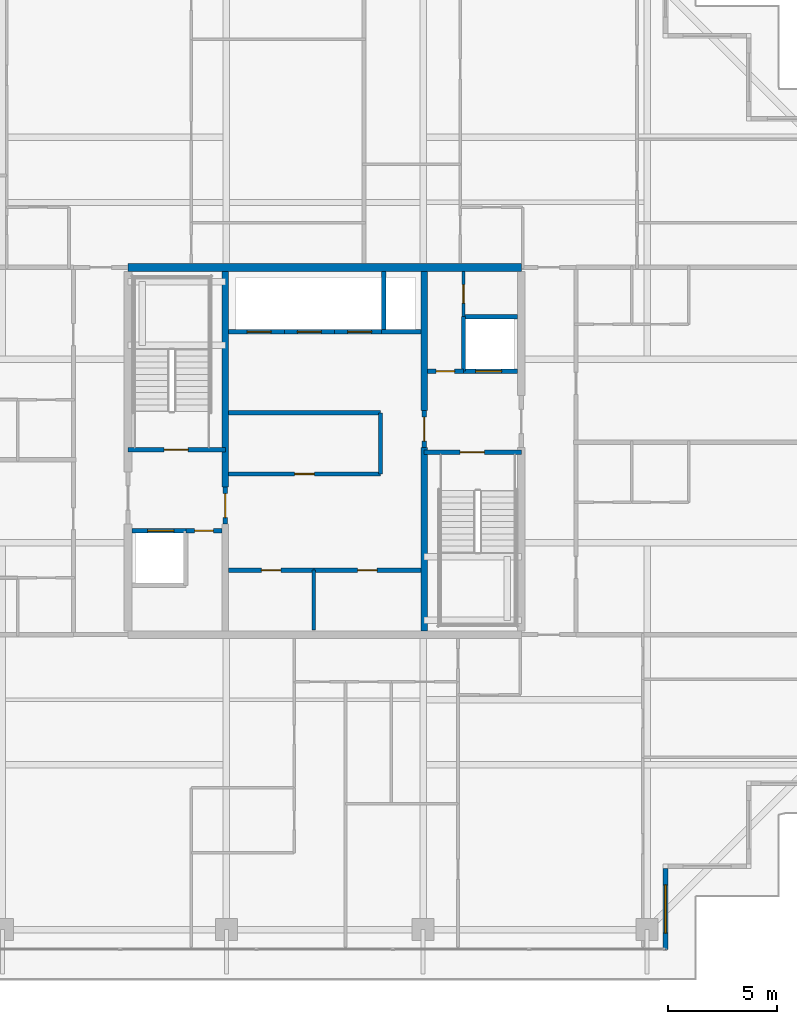
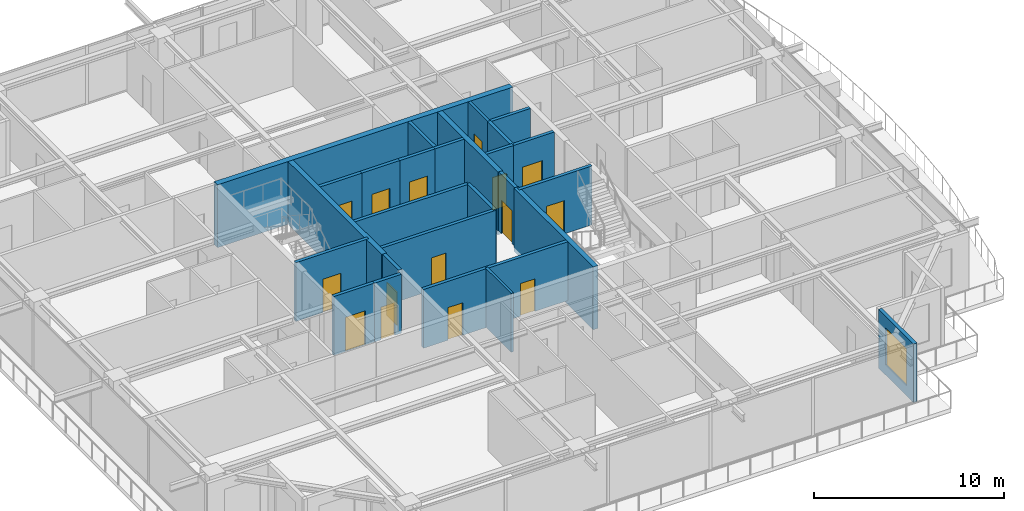
# One storey, part 29 of 39: 27 walls, 15 doors, 1 window, 16 openings.
"""IFC4 building model written with IfcOpenShell, lengths in metres."""

from ifc_helpers import new_model, si_unit, direction, frame, frame_2d, origin, place, context, subcontext, project, spatial, rectangle, extrude, source, transform, mapped, material, layer, layer_set, type_object, element, fill, save


model = new_model("IFC4")

# Units and contexts
model_context = context("Model", 3, precision=1e-05, world=origin(), true_north=direction((0.0, 1.0)))
body_context = subcontext(model_context, "Body", "Model", "MODEL_VIEW")
ifc_project = project(units=[si_unit("LENGTHUNIT", "METRE"), si_unit("AREAUNIT", "SQUARE_METRE"), si_unit("VOLUMEUNIT", "CUBIC_METRE"), si_unit("PLANEANGLEUNIT", "RADIAN"), si_unit("MASSUNIT", "GRAM", prefix="KILO")], contexts=[model_context])

# Site, building, storey
site_placement = place(None, origin())
site = spatial("IfcSite", under=ifc_project, at=site_placement, CompositionType="ELEMENT")
building_placement = place(site_placement, origin())
building = spatial("IfcBuilding", under=site, at=building_placement, Name="Serunith Strait Residences", CompositionType="ELEMENT")
storey_placement = place(building_placement, frame((0.0, 0.0, 329.89990234375)))
storey = spatial("IfcBuildingStorey", under=building, at=storey_placement, Name="L82", CompositionType="ELEMENT", Elevation=329.89990234375)

# Wall, opening, window
ifc_material_1 = material(Name="Pale-Champagne Aluminium Insulated Panel", Category="aluminium")
ifc_layer_1 = layer(ifc_material_1, 0.219970703125, Name="Pale-Champagne Aluminium Insulated Panel")
ifc_layer_set_1 = layer_set([ifc_layer_1], Name="Pale-Champagne Aluminium Insulated Panel")
wall_type_1 = type_object("IfcWallType", Name="EW-ALUM-220", PredefinedType="ELEMENTEDWALL", material=ifc_layer_set_1)
wall_1_placement = place(storey_placement, frame((48.0, 2.39990234375, 0.0), z_axis=(0.0, 0.0, 1.0), x_axis=(0.0, 1.0, 0.0)))
wall_1 = element("IfcWall", 1, at=wall_1_placement, inside=storey, type_object=wall_type_1, Name="L82 Girih Serrated Corner Wall 02", PredefinedType="ELEMENTEDWALL", context=body_context, shape_type="SweptSolid", body=[
    extrude(rectangle(XDim=3.690185546875, YDim=0.219970703125, at=frame_2d((1.84521484375, 0.0))), origin(), (0.0, 0.0, 1.0), 3.775146484375),
])
opening_1_placement = place(wall_1_placement, frame((0.7451171875, 0.0, 0.64990234375)))
opening_1 = element("IfcOpeningElement", 2, at=opening_1_placement, cuts=wall_1, Name="Opening W-06", PredefinedType="OPENING", context=body_context, shape_type="SweptSolid", body=[
    extrude(rectangle(XDim=2.199951171875, YDim=2.39990234375, at=frame_2d((1.10009765625, 1.199951171875))), frame((0.0, 0.1201171875, 0.0), z_axis=(0.0, -1.0, 0.0), x_axis=(1.0, 0.0, 0.0)), (0.0, 0.0, 1.0), 0.239990234375),
])
ifc_material_2 = material(Name="Crown Penthouse Low-E Operable Window Glass", Category="glass")
window_type = type_object("IfcWindowType", Name="WIN-C6", PartitioningType="TRIPLE_PANEL_VERTICAL", PredefinedType="WINDOW", material=ifc_material_2)
shared_shape_1 = source(origin(), body_context, "Body", "SweptSolid", [
    extrude(rectangle(XDim=2.199951171875, YDim=2.39990234375, at=frame_2d((1.10009765625, 1.199951171875))), frame((0.0, 0.030029296875, 0.0), z_axis=(0.0, -1.0, 0.0), x_axis=(1.0, 0.0, 0.0)), (0.0, 0.0, 1.0), 0.06005859375),
])
window_placement = place(opening_1_placement, origin())
window = element("IfcWindow", 3, at=window_placement, inside=storey, type_object=window_type, Name="L82 Corner Operable Fritted Window 02", OverallHeight=2.39990234375, OverallWidth=2.199951171875, PartitioningType="SINGLE_PANEL", PredefinedType="WINDOW", context=body_context, shape_type="MappedRepresentation", body=[
    mapped(shared_shape_1, transform((0.0, 0.0, 0.0), scale=1.0)),
])
fill(opening_1, window)

# Wall, opening, door
ifc_material_3 = material(Name="Fire-rated masonry service closet wall", Category="masonry")
ifc_layer_2 = layer(ifc_material_3, 0.14990234375, Name="Fire-rated masonry service closet wall")
ifc_layer_set_2 = layer_set([ifc_layer_2], Name="Fire-rated masonry service closet wall")
wall_type_2 = type_object("IfcWallType", Name="IW-BOH-150", PredefinedType="PARTITIONING", material=ifc_layer_set_2)
wall_2_placement = place(storey_placement, frame((38.75, 31.35205078125, 0.0), z_axis=(0.0, 0.0, 1.0), x_axis=(0.0, 1.0, 0.0)))
wall_2 = element("IfcWall", 4, at=wall_2_placement, inside=storey, type_object=wall_type_2, Name="L82 Partition Wall 011", PredefinedType="PARTITIONING", context=body_context, shape_type="SweptSolid", body=[
    extrude(rectangle(XDim=2.072998046875, YDim=0.14990234375, at=frame_2d((1.03662109375, 0.0))), origin(), (0.0, 0.0, 1.0), 3.7900390625),
])
opening_2_placement = place(wall_2_placement, frame((0.611083984375, 0.0, 0.0)))
opening_2 = element("IfcOpeningElement", 5, at=opening_2_placement, cuts=wall_2, Name="Opening FD-850", PredefinedType="OPENING", context=body_context, shape_type="SweptSolid", body=[
    extrude(rectangle(XDim=0.85009765625, YDim=2.10009765625, at=frame_2d((0.425048828125, 1.050048828125))), frame((0.0, 0.0849609375, 0.0), z_axis=(0.0, -1.0, 0.0), x_axis=(1.0, 0.0, 0.0)), (0.0, 0.0, 1.0), 0.169921875),
])
ifc_material_4 = material(Name="Powder-coated steel service closet door", Category="steel")
door_type_1 = type_object("IfcDoorType", Name="FD-BOH-850", OperationType="NOTDEFINED", PredefinedType="DOOR", material=ifc_material_4)
shared_shape_2 = source(origin(), body_context, "Body", "SweptSolid", [
    extrude(rectangle(XDim=0.85009765625, YDim=2.10009765625, at=frame_2d((0.425048828125, 1.050048828125))), frame((0.0, 0.02490234375, 0.0), z_axis=(0.0, -1.0, 0.0), x_axis=(1.0, 0.0, 0.0)), (0.0, 0.0, 1.0), 0.050048828125),
])
door_1_placement = place(opening_2_placement, origin())
door_1 = element("IfcDoor", 6, at=door_1_placement, inside=storey, type_object=door_type_1, Name="L82 ELV Data Closet Door", OperationType="SINGLE_SWING_LEFT", OverallHeight=2.10009765625, OverallWidth=0.85009765625, PredefinedType="DOOR", context=body_context, shape_type="MappedRepresentation", body=[
    mapped(shared_shape_2, transform((0.0, 0.0, 0.0), scale=1.0)),
])
fill(opening_2, door_1)

# Wall
wall_3_placement = place(storey_placement, frame((31.89990234375, 17.02001953125, 0.0), z_axis=(0.0, 0.0, 1.0), x_axis=(0.0, 1.0, 0.0)))
element("IfcWall", 7, at=wall_3_placement, inside=storey, type_object=wall_type_2, Name="L82 Partition Wall 014", PredefinedType="PARTITIONING", context=body_context, shape_type="SweptSolid", body=[
    extrude(rectangle(XDim=2.72998046875, YDim=0.14990234375, at=frame_2d((1.364990234375, 0.0))), origin(), (0.0, 0.0, 1.0), 3.7900390625),
])

# Wall, opening, door
ifc_material_5 = material(Name="Autoclaved aerated concrete blockwork", Category="masonry")
ifc_layer_3 = layer(ifc_material_5, 0.199951171875, Name="Autoclaved aerated concrete blockwork")
ifc_layer_set_3 = layer_set([ifc_layer_3], Name="Autoclaved aerated concrete blockwork")
wall_type_3 = type_object("IfcWallType", Name="IW-SHAFT-200", PredefinedType="STANDARD", material=ifc_layer_set_3)
wall_4_placement = place(storey_placement, frame((23.39990234375, 25.25, 0.0), z_axis=(0.0, 0.0, 1.0), x_axis=(1.0, 0.0, 0.0)))
wall_4 = element("IfcWall", 8, at=wall_4_placement, inside=storey, type_object=wall_type_3, Name="L82 ST-1 South Shaft Wall", PredefinedType="STANDARD", context=body_context, shape_type="SweptSolid", body=[
    extrude(rectangle(XDim=4.4501953125, YDim=0.199951171875, at=frame_2d((2.22509765625, 0.0))), origin(), (0.0, 0.0, 1.0), 3.7900390625),
])
opening_3_placement = place(wall_4_placement, frame((1.64990234375, 0.0, 0.0)))
opening_3 = element("IfcOpeningElement", 9, at=opening_3_placement, cuts=wall_4, Name="Opening FD-1100", PredefinedType="OPENING", context=body_context, shape_type="SweptSolid", body=[
    extrude(rectangle(XDim=1.10009765625, YDim=2.14990234375, at=frame_2d((0.550048828125, 1.074951171875))), frame((0.0, 0.10986328125, 0.0), z_axis=(0.0, -1.0, 0.0), x_axis=(1.0, 0.0, 0.0)), (0.0, 0.0, 1.0), 0.219970703125),
])
ifc_material_6 = material(Name="Galvanised steel fire door leaf", Category="steel")
door_type_2 = type_object("IfcDoorType", Name="FD-STAIR-1100", OperationType="NOTDEFINED", PredefinedType="DOOR", material=ifc_material_6)
shared_shape_3 = source(origin(), body_context, "Body", "SweptSolid", [
    extrude(rectangle(XDim=1.10009765625, YDim=2.14990234375, at=frame_2d((0.550048828125, 1.074951171875))), frame((0.0, 0.02490234375, 0.0), z_axis=(0.0, -1.0, 0.0), x_axis=(1.0, 0.0, 0.0)), (0.0, 0.0, 1.0), 0.050048828125),
])
door_2_placement = place(opening_3_placement, origin())
door_2 = element("IfcDoor", 10, at=door_2_placement, inside=storey, type_object=door_type_2, Name="L82 ST-1 Escape Stair Door", OperationType="SINGLE_SWING_RIGHT", OverallHeight=2.14990234375, OverallWidth=1.10009765625, PredefinedType="DOOR", context=body_context, shape_type="MappedRepresentation", body=[
    mapped(shared_shape_3, transform((0.0, 0.0, 0.0), scale=1.0)),
])
fill(opening_3, door_2)

wall_5_placement = place(storey_placement, frame((36.949951171875, 25.14990234375, 0.0), z_axis=(0.0, 0.0, 1.0), x_axis=(1.0, 0.0, 0.0)))
wall_5 = element("IfcWall", 11, at=wall_5_placement, inside=storey, type_object=wall_type_3, Name="L82 ST-2 North Shaft Wall", PredefinedType="STANDARD", context=body_context, shape_type="SweptSolid", body=[
    extrude(rectangle(XDim=4.449951171875, YDim=0.199951171875, at=frame_2d((2.22509765625, 0.0))), origin(), (0.0, 0.0, 1.0), 3.7900390625),
])
opening_4_placement = place(wall_5_placement, frame((1.64990234375, 0.0, 0.0)))
opening_4 = element("IfcOpeningElement", 12, at=opening_4_placement, cuts=wall_5, Name="Opening FD-1100", PredefinedType="OPENING", context=body_context, shape_type="SweptSolid", body=[
    extrude(rectangle(XDim=1.10009765625, YDim=2.14990234375, at=frame_2d((0.550048828125, 1.074951171875))), frame((0.0, 0.10986328125, 0.0), z_axis=(0.0, -1.0, 0.0), x_axis=(1.0, 0.0, 0.0)), (0.0, 0.0, 1.0), 0.219970703125),
])
door_3_placement = place(opening_4_placement, origin())
door_3 = element("IfcDoor", 13, at=door_3_placement, inside=storey, type_object=door_type_2, Name="L82 ST-2 Escape Stair Door", OperationType="SINGLE_SWING_LEFT", OverallHeight=2.14990234375, OverallWidth=1.10009765625, PredefinedType="DOOR", context=body_context, shape_type="MappedRepresentation", body=[
    mapped(shared_shape_3, transform((0.0, 0.0, 0.0), scale=1.0)),
])
fill(opening_4, door_3)

wall_6_placement = place(storey_placement, frame((23.574951171875, 21.550048828125, 0.0), z_axis=(0.0, 0.0, 1.0), x_axis=(1.0, 0.0, 0.0)))
wall_6 = element("IfcWall", 14, at=wall_6_placement, inside=storey, type_object=wall_type_3, Name="L82 FL-1 North Shaft Wall", PredefinedType="STANDARD", context=body_context, shape_type="SweptSolid", body=[
    extrude(rectangle(XDim=2.47509765625, YDim=0.199951171875, at=frame_2d((1.237548828125, 0.0))), origin(), (0.0, 0.0, 1.0), 3.7900390625),
])
opening_5_placement = place(wall_6_placement, frame((0.72509765625, 0.0, 0.0)))
opening_5 = element("IfcOpeningElement", 15, at=opening_5_placement, cuts=wall_6, Name="Opening LD-FF1200", PredefinedType="OPENING", context=body_context, shape_type="SweptSolid", body=[
    extrude(rectangle(XDim=1.199951171875, YDim=2.199951171875, at=frame_2d((0.60009765625, 1.10009765625))), frame((0.0, 0.10986328125, 0.0), z_axis=(0.0, -1.0, 0.0), x_axis=(1.0, 0.0, 0.0)), (0.0, 0.0, 1.0), 0.219970703125),
])
ifc_material_7 = material(Name="Brushed stainless steel landing door", Category="steel")
door_type_3 = type_object("IfcDoorType", Name="LD-FF-1200", OperationType="DOUBLE_DOOR_SLIDING", PredefinedType="DOOR", material=ifc_material_7)
shared_shape_4 = source(origin(), body_context, "Body", "SweptSolid", [
    extrude(rectangle(XDim=1.199951171875, YDim=2.199951171875, at=frame_2d((0.60009765625, 1.10009765625))), frame((0.0, 0.02490234375, 0.0), z_axis=(0.0, -1.0, 0.0), x_axis=(1.0, 0.0, 0.0)), (0.0, 0.0, 1.0), 0.050048828125),
])
door_4_placement = place(opening_5_placement, origin())
door_4 = element("IfcDoor", 16, at=door_4_placement, inside=storey, type_object=door_type_3, Name="L82 FL-1 Landing Door", OperationType="DOUBLE_DOOR_SLIDING", OverallHeight=2.199951171875, OverallWidth=1.199951171875, PredefinedType="DOOR", context=body_context, shape_type="MappedRepresentation", body=[
    mapped(shared_shape_4, transform((0.0, 0.0, 0.0), scale=1.0)),
])
fill(opening_5, door_4)

wall_7_placement = place(storey_placement, frame((38.75, 28.85009765625, 0.0), z_axis=(0.0, 0.0, 1.0), x_axis=(1.0, 0.0, 0.0)))
wall_7 = element("IfcWall", 17, at=wall_7_placement, inside=storey, type_object=wall_type_3, Name="L82 FL-2 South Shaft Wall", PredefinedType="STANDARD", context=body_context, shape_type="SweptSolid", body=[
    extrude(rectangle(XDim=2.47509765625, YDim=0.199951171875, at=frame_2d((1.237548828125, 0.0))), origin(), (0.0, 0.0, 1.0), 3.7900390625),
])
opening_6_placement = place(wall_7_placement, frame((0.550048828125, 0.0, 0.0)))
opening_6 = element("IfcOpeningElement", 18, at=opening_6_placement, cuts=wall_7, Name="Opening LD-FF1200", PredefinedType="OPENING", context=body_context, shape_type="SweptSolid", body=[
    extrude(rectangle(XDim=1.199951171875, YDim=2.199951171875, at=frame_2d((0.60009765625, 1.10009765625))), frame((0.0, 0.10986328125, 0.0), z_axis=(0.0, -1.0, 0.0), x_axis=(1.0, 0.0, 0.0)), (0.0, 0.0, 1.0), 0.219970703125),
])
door_5_placement = place(opening_6_placement, origin())
door_5 = element("IfcDoor", 19, at=door_5_placement, inside=storey, type_object=door_type_3, Name="L82 FL-2 Landing Door", OperationType="DOUBLE_DOOR_SLIDING", OverallHeight=2.199951171875, OverallWidth=1.199951171875, PredefinedType="DOOR", context=body_context, shape_type="MappedRepresentation", body=[
    mapped(shared_shape_4, transform((0.0, 0.0, 0.0), scale=1.0)),
])
fill(opening_6, door_5)

wall_8_placement = place(storey_placement, frame((28.0, 30.64990234375, 0.0), z_axis=(0.0, 0.0, 1.0), x_axis=(1.0, 0.0, 0.0)))
wall_8 = element("IfcWall", 20, at=wall_8_placement, inside=storey, type_object=wall_type_3, Name="L82 PL-7 South Shaft Wall", PredefinedType="STANDARD", context=body_context, shape_type="SweptSolid", body=[
    extrude(rectangle(XDim=2.550048828125, YDim=0.199951171875, at=frame_2d((1.27490234375, 0.0))), origin(), (0.0, 0.0, 1.0), 3.7900390625),
])
opening_7_placement = place(wall_8_placement, frame((0.85009765625, 0.0, 0.0)))
opening_7 = element("IfcOpeningElement", 21, at=opening_7_placement, cuts=wall_8, Name="Opening LD-1100", PredefinedType="OPENING", context=body_context, shape_type="SweptSolid", body=[
    extrude(rectangle(XDim=1.10009765625, YDim=2.199951171875, at=frame_2d((0.550048828125, 1.10009765625))), frame((0.0, 0.10986328125, 0.0), z_axis=(0.0, -1.0, 0.0), x_axis=(1.0, 0.0, 0.0)), (0.0, 0.0, 1.0), 0.219970703125),
])
ifc_material_8 = material(Name="Pale-champagne stainless landing door")
door_type_4 = type_object("IfcDoorType", Name="LD-LIFT-1100", OperationType="DOUBLE_DOOR_SLIDING", PredefinedType="DOOR", material=ifc_material_8)
shared_shape_5 = source(origin(), body_context, "Body", "SweptSolid", [
    extrude(rectangle(XDim=1.10009765625, YDim=2.199951171875, at=frame_2d((0.550048828125, 1.10009765625))), frame((0.0, 0.02490234375, 0.0), z_axis=(0.0, -1.0, 0.0), x_axis=(1.0, 0.0, 0.0)), (0.0, 0.0, 1.0), 0.050048828125),
])
door_6_placement = place(opening_7_placement, origin())
door_6 = element("IfcDoor", 22, at=door_6_placement, inside=storey, type_object=door_type_4, Name="L82 PL-7 Landing Door", OperationType="DOUBLE_DOOR_SLIDING", OverallHeight=2.199951171875, OverallWidth=1.10009765625, PredefinedType="DOOR", context=body_context, shape_type="MappedRepresentation", body=[
    mapped(shared_shape_5, transform((0.0, 0.0, 0.0), scale=1.0)),
])
fill(opening_7, door_6)

wall_9_placement = place(storey_placement, frame((30.550048828125, 30.64990234375, 0.0), z_axis=(0.0, 0.0, 1.0), x_axis=(1.0, 0.0, 0.0)))
wall_9 = element("IfcWall", 23, at=wall_9_placement, inside=storey, type_object=wall_type_3, Name="L82 PL-8 South Shaft Wall", PredefinedType="STANDARD", context=body_context, shape_type="SweptSolid", body=[
    extrude(rectangle(XDim=2.300048828125, YDim=0.199951171875, at=frame_2d((1.14990234375, 0.0))), origin(), (0.0, 0.0, 1.0), 3.7900390625),
])
opening_8_placement = place(wall_9_placement, frame((0.60009765625, 0.0, 0.0)))
opening_8 = element("IfcOpeningElement", 24, at=opening_8_placement, cuts=wall_9, Name="Opening LD-1100", PredefinedType="OPENING", context=body_context, shape_type="SweptSolid", body=[
    extrude(rectangle(XDim=1.10009765625, YDim=2.199951171875, at=frame_2d((0.550048828125, 1.10009765625))), frame((0.0, 0.10986328125, 0.0), z_axis=(0.0, -1.0, 0.0), x_axis=(1.0, 0.0, 0.0)), (0.0, 0.0, 1.0), 0.219970703125),
])
door_7_placement = place(opening_8_placement, origin())
door_7 = element("IfcDoor", 25, at=door_7_placement, inside=storey, type_object=door_type_4, Name="L82 PL-8 Landing Door", OperationType="DOUBLE_DOOR_SLIDING", OverallHeight=2.199951171875, OverallWidth=1.10009765625, PredefinedType="DOOR", context=body_context, shape_type="MappedRepresentation", body=[
    mapped(shared_shape_5, transform((0.0, 0.0, 0.0), scale=1.0)),
])
fill(opening_8, door_7)

wall_10_placement = place(storey_placement, frame((32.85009765625, 30.64990234375, 0.0), z_axis=(0.0, 0.0, 1.0), x_axis=(1.0, 0.0, 0.0)))
wall_10 = element("IfcWall", 26, at=wall_10_placement, inside=storey, type_object=wall_type_3, Name="L82 PL-9 South Shaft Wall", PredefinedType="STANDARD", context=body_context, shape_type="SweptSolid", body=[
    extrude(rectangle(XDim=2.14990234375, YDim=0.199951171875, at=frame_2d((1.074951171875, 0.0))), origin(), (0.0, 0.0, 1.0), 3.7900390625),
])
opening_9_placement = place(wall_10_placement, frame((0.60009765625, 0.0, 0.0)))
opening_9 = element("IfcOpeningElement", 27, at=opening_9_placement, cuts=wall_10, Name="Opening LD-1100", PredefinedType="OPENING", context=body_context, shape_type="SweptSolid", body=[
    extrude(rectangle(XDim=1.10009765625, YDim=2.199951171875, at=frame_2d((0.550048828125, 1.10009765625))), frame((0.0, 0.10986328125, 0.0), z_axis=(0.0, -1.0, 0.0), x_axis=(1.0, 0.0, 0.0)), (0.0, 0.0, 1.0), 0.219970703125),
])
door_8_placement = place(opening_9_placement, origin())
door_8 = element("IfcDoor", 28, at=door_8_placement, inside=storey, type_object=door_type_4, Name="L82 PL-9 Landing Door", OperationType="DOUBLE_DOOR_SLIDING", OverallHeight=2.199951171875, OverallWidth=1.10009765625, PredefinedType="DOOR", context=body_context, shape_type="MappedRepresentation", body=[
    mapped(shared_shape_5, transform((0.0, 0.0, 0.0), scale=1.0)),
])
fill(opening_9, door_8)

# Walls
wall_11_placement = place(storey_placement, frame((35.0, 30.64990234375, 0.0), z_axis=(0.0, 0.0, 1.0), x_axis=(1.0, 0.0, 0.0)))
element("IfcWall", 29, at=wall_11_placement, inside=storey, type_object=wall_type_3, Name="L82 SL-1 South Shaft Wall", PredefinedType="STANDARD", context=body_context, shape_type="SweptSolid", body=[
    extrude(rectangle(XDim=1.800048828125, YDim=0.199951171875, at=frame_2d((0.89990234375, 0.0))), origin(), (0.0, 0.0, 1.0), 3.7900390625),
])
wall_12_placement = place(storey_placement, frame((35.10009765625, 30.75, 0.0), z_axis=(0.0, 0.0, 1.0), x_axis=(0.0, 1.0, 0.0)))
element("IfcWall", 30, at=wall_12_placement, inside=storey, type_object=wall_type_3, Name="L82 SL-1 West Shaft Wall", PredefinedType="STANDARD", context=body_context, shape_type="SweptSolid", body=[
    extrude(rectangle(XDim=2.675048828125, YDim=0.199951171875, at=frame_2d((1.33740234375, 0.0))), origin(), (0.0, 0.0, 1.0), 3.7900390625),
])

# Wall, opening, door
wall_13_placement = place(storey_placement, frame((26.052001953125, 21.550048828125, 0.0), z_axis=(0.0, 0.0, 1.0), x_axis=(1.0, 0.0, 0.0)))
wall_13 = element("IfcWall", 31, at=wall_13_placement, inside=storey, type_object=wall_type_3, Name="L82 Partition Wall 003", PredefinedType="STANDARD", context=body_context, shape_type="SweptSolid", body=[
    extrude(rectangle(XDim=1.64794921875, YDim=0.199951171875, at=frame_2d((0.823974609375, 0.0))), origin(), (0.0, 0.0, 1.0), 3.7900390625),
])
opening_10_placement = place(wall_13_placement, frame((0.39892578125, 0.0, 0.0)))
opening_10 = element("IfcOpeningElement", 32, at=opening_10_placement, cuts=wall_13, Name="Opening FD-850", PredefinedType="OPENING", context=body_context, shape_type="SweptSolid", body=[
    extrude(rectangle(XDim=0.85009765625, YDim=2.10009765625, at=frame_2d((0.425048828125, 1.050048828125))), frame((0.0, 0.10986328125, 0.0), z_axis=(0.0, -1.0, 0.0), x_axis=(1.0, 0.0, 0.0)), (0.0, 0.0, 1.0), 0.219970703125),
])
door_9_placement = place(opening_10_placement, origin())
door_9 = element("IfcDoor", 33, at=door_9_placement, inside=storey, type_object=door_type_1, Name="L82 South-West Core Service Door", OperationType="SINGLE_SWING_LEFT", OverallHeight=2.10009765625, OverallWidth=0.85009765625, PredefinedType="DOOR", context=body_context, shape_type="MappedRepresentation", body=[
    mapped(shared_shape_2, transform((0.0, 0.0, 0.0), scale=1.0)),
])
fill(opening_10, door_9)

# Walls
wall_14_placement = place(storey_placement, frame((38.75, 28.85009765625, 0.0), z_axis=(0.0, 0.0, 1.0), x_axis=(0.0, 1.0, 0.0)))
element("IfcWall", 34, at=wall_14_placement, inside=storey, type_object=wall_type_3, Name="L82 Partition Wall 004", PredefinedType="STANDARD", context=body_context, shape_type="SweptSolid", body=[
    extrude(rectangle(XDim=2.5, YDim=0.199951171875, at=frame_2d((1.25, 0.0))), origin(), (0.0, 0.0, 1.0), 3.7900390625),
])
wall_15_placement = place(storey_placement, frame((38.75, 31.35009765625, 0.0), z_axis=(0.0, 0.0, 1.0), x_axis=(1.0, 0.0, 0.0)))
element("IfcWall", 35, at=wall_15_placement, inside=storey, type_object=wall_type_3, Name="L82 Partition Wall 005", PredefinedType="STANDARD", context=body_context, shape_type="SweptSolid", body=[
    extrude(rectangle(XDim=2.47509765625, YDim=0.199951171875, at=frame_2d((1.237548828125, 0.0))), origin(), (0.0, 0.0, 1.0), 3.7900390625),
])

# Wall, opening, door
wall_16_placement = place(storey_placement, frame((37.10009765625, 28.85009765625, 0.0), z_axis=(0.0, 0.0, 1.0), x_axis=(1.0, 0.0, 0.0)))
wall_16 = element("IfcWall", 36, at=wall_16_placement, inside=storey, type_object=wall_type_3, Name="L82 Partition Wall 006", PredefinedType="STANDARD", context=body_context, shape_type="SweptSolid", body=[
    extrude(rectangle(XDim=1.64794921875, YDim=0.199951171875, at=frame_2d((0.823974609375, 0.0))), origin(), (0.0, 0.0, 1.0), 3.7900390625),
])
opening_11_placement = place(wall_16_placement, frame((0.39892578125, 0.0, 0.0)))
opening_11 = element("IfcOpeningElement", 37, at=opening_11_placement, cuts=wall_16, Name="Opening FD-850", PredefinedType="OPENING", context=body_context, shape_type="SweptSolid", body=[
    extrude(rectangle(XDim=0.85009765625, YDim=2.10009765625, at=frame_2d((0.425048828125, 1.050048828125))), frame((0.0, 0.10986328125, 0.0), z_axis=(0.0, -1.0, 0.0), x_axis=(1.0, 0.0, 0.0)), (0.0, 0.0, 1.0), 0.219970703125),
])
door_10_placement = place(opening_11_placement, origin())
door_10 = element("IfcDoor", 38, at=door_10_placement, inside=storey, type_object=door_type_1, Name="L82 North-East Core Service Door", OperationType="SINGLE_SWING_RIGHT", OverallHeight=2.10009765625, OverallWidth=0.85009765625, PredefinedType="DOOR", context=body_context, shape_type="MappedRepresentation", body=[
    mapped(shared_shape_2, transform((0.0, 0.0, 0.0), scale=1.0)),
])
fill(opening_11, door_10)

wall_17_placement = place(storey_placement, frame((27.85009765625, 21.85205078125, 0.0), z_axis=(0.0, 0.0, 1.0), x_axis=(0.0, 1.0, 0.0)))
wall_17 = element("IfcWall", 39, at=wall_17_placement, inside=storey, type_object=wall_type_3, Name="L82 Partition Wall 009", PredefinedType="STANDARD", context=body_context, shape_type="SweptSolid", body=[
    extrude(rectangle(XDim=1.696044921875, YDim=0.199951171875, at=frame_2d((0.84814453125, 0.0))), origin(), (0.0, 0.0, 1.0), 3.7900390625),
])
opening_12_placement = place(wall_17_placement, frame((0.298095703125, 0.0, 0.0)))
opening_12 = element("IfcOpeningElement", 40, at=opening_12_placement, cuts=wall_17, Name="Opening FD-FFL", PredefinedType="OPENING", context=body_context, shape_type="SweptSolid", body=[
    extrude(rectangle(XDim=1.10009765625, YDim=2.14990234375, at=frame_2d((0.550048828125, 1.074951171875))), frame((0.0, 0.10986328125, 0.0), z_axis=(0.0, -1.0, 0.0), x_axis=(1.0, 0.0, 0.0)), (0.0, 0.0, 1.0), 0.219970703125),
])
ifc_material_9 = material(Name="Glazed steel smoke-lobby fire door", Category="steel")
door_type_5 = type_object("IfcDoorType", Name="FD-FFL-1100", OperationType="NOTDEFINED", PredefinedType="DOOR", material=ifc_material_9)
door_11_placement = place(opening_12_placement, origin())
door_11 = element("IfcDoor", 41, at=door_11_placement, inside=storey, type_object=door_type_5, Name="L82 FFL-1 Lift Lobby Door", OperationType="SINGLE_SWING_LEFT", OverallHeight=2.14990234375, OverallWidth=1.10009765625, PredefinedType="DOOR", context=body_context, shape_type="MappedRepresentation", body=[
    mapped(shared_shape_3, transform((0.0, 0.0, 0.0), scale=1.0)),
])
fill(opening_12, door_11)

wall_18_placement = place(storey_placement, frame((36.949951171875, 25.35205078125, 0.0), z_axis=(0.0, 0.0, 1.0), x_axis=(0.0, 1.0, 0.0)))
wall_18 = element("IfcWall", 42, at=wall_18_placement, inside=storey, type_object=wall_type_3, Name="L82 Partition Wall 010", PredefinedType="STANDARD", context=body_context, shape_type="SweptSolid", body=[
    extrude(rectangle(XDim=1.696044921875, YDim=0.199951171875, at=frame_2d((0.84814453125, 0.0))), origin(), (0.0, 0.0, 1.0), 3.7900390625),
])
opening_13_placement = place(wall_18_placement, frame((0.298095703125, 0.0, 0.0)))
opening_13 = element("IfcOpeningElement", 43, at=opening_13_placement, cuts=wall_18, Name="Opening FD-FFL", PredefinedType="OPENING", context=body_context, shape_type="SweptSolid", body=[
    extrude(rectangle(XDim=1.10009765625, YDim=2.14990234375, at=frame_2d((0.550048828125, 1.074951171875))), frame((0.0, 0.10986328125, 0.0), z_axis=(0.0, -1.0, 0.0), x_axis=(1.0, 0.0, 0.0)), (0.0, 0.0, 1.0), 0.219970703125),
])
door_12_placement = place(opening_13_placement, origin())
door_12 = element("IfcDoor", 44, at=door_12_placement, inside=storey, type_object=door_type_5, Name="L82 FFL-2 Lift Lobby Door", OperationType="SINGLE_SWING_RIGHT", OverallHeight=2.14990234375, OverallWidth=1.10009765625, PredefinedType="DOOR", context=body_context, shape_type="MappedRepresentation", body=[
    mapped(shared_shape_3, transform((0.0, 0.0, 0.0), scale=1.0)),
])
fill(opening_13, door_12)

wall_19_placement = place(storey_placement, frame((28.0, 19.75, 0.0), z_axis=(0.0, 0.0, 1.0), x_axis=(1.0, 0.0, 0.0)))
wall_19 = element("IfcWall", 45, at=wall_19_placement, inside=storey, type_object=wall_type_3, Name="L82 Partition Wall 012", PredefinedType="STANDARD", context=body_context, shape_type="SweptSolid", body=[
    extrude(rectangle(XDim=3.89990234375, YDim=0.199951171875, at=frame_2d((1.949951171875, 0.0))), origin(), (0.0, 0.0, 1.0), 3.7900390625),
])
opening_14_placement = place(wall_19_placement, frame((1.5, 0.0, 0.0)))
opening_14 = element("IfcOpeningElement", 46, at=opening_14_placement, cuts=wall_19, Name="Opening FD-900", PredefinedType="OPENING", context=body_context, shape_type="SweptSolid", body=[
    extrude(rectangle(XDim=0.89990234375, YDim=2.10009765625, at=frame_2d((0.449951171875, 1.050048828125))), frame((0.0, 0.10986328125, 0.0), z_axis=(0.0, -1.0, 0.0), x_axis=(1.0, 0.0, 0.0)), (0.0, 0.0, 1.0), 0.219970703125),
])
ifc_material_10 = material(Name="Powder-coated steel riser door", Category="steel")
door_type_6 = type_object("IfcDoorType", Name="FD-BOH-900", OperationType="NOTDEFINED", PredefinedType="DOOR", material=ifc_material_10)
shared_shape_6 = source(origin(), body_context, "Body", "SweptSolid", [
    extrude(rectangle(XDim=0.89990234375, YDim=2.10009765625, at=frame_2d((0.449951171875, 1.050048828125))), frame((0.0, 0.02490234375, 0.0), z_axis=(0.0, -1.0, 0.0), x_axis=(1.0, 0.0, 0.0)), (0.0, 0.0, 1.0), 0.050048828125),
])
door_13_placement = place(opening_14_placement, origin())
door_13 = element("IfcDoor", 47, at=door_13_placement, inside=storey, type_object=door_type_6, Name="L82 Housekeeping Store Door", OperationType="SINGLE_SWING_RIGHT", OverallHeight=2.10009765625, OverallWidth=0.89990234375, PredefinedType="DOOR", context=body_context, shape_type="MappedRepresentation", body=[
    mapped(shared_shape_6, transform((0.0, 0.0, 0.0), scale=1.0)),
])
fill(opening_14, door_13)

wall_20_placement = place(storey_placement, frame((31.902099609375, 19.75, 0.0), z_axis=(0.0, 0.0, 1.0), x_axis=(1.0, 0.0, 0.0)))
wall_20 = element("IfcWall", 48, at=wall_20_placement, inside=storey, type_object=wall_type_3, Name="L82 Partition Wall 013", PredefinedType="STANDARD", context=body_context, shape_type="SweptSolid", body=[
    extrude(rectangle(XDim=4.89794921875, YDim=0.199951171875, at=frame_2d((2.448974609375, 0.0))), origin(), (0.0, 0.0, 1.0), 3.7900390625),
])
opening_15_placement = place(wall_20_placement, frame((1.9990234375, 0.0, 0.0)))
opening_15 = element("IfcOpeningElement", 49, at=opening_15_placement, cuts=wall_20, Name="Opening FD-900", PredefinedType="OPENING", context=body_context, shape_type="SweptSolid", body=[
    extrude(rectangle(XDim=0.89990234375, YDim=2.10009765625, at=frame_2d((0.449951171875, 1.050048828125))), frame((0.0, 0.10986328125, 0.0), z_axis=(0.0, -1.0, 0.0), x_axis=(1.0, 0.0, 0.0)), (0.0, 0.0, 1.0), 0.219970703125),
])
door_14_placement = place(opening_15_placement, origin())
door_14 = element("IfcDoor", 50, at=door_14_placement, inside=storey, type_object=door_type_6, Name="L82 High-Rise Meter Door", OperationType="SINGLE_SWING_LEFT", OverallHeight=2.10009765625, OverallWidth=0.89990234375, PredefinedType="DOOR", context=body_context, shape_type="MappedRepresentation", body=[
    mapped(shared_shape_6, transform((0.0, 0.0, 0.0), scale=1.0)),
])
fill(opening_15, door_14)

# Walls
wall_21_placement = place(storey_placement, frame((28.0, 26.949951171875, 0.0), z_axis=(0.0, 0.0, 1.0), x_axis=(1.0, 0.0, 0.0)))
element("IfcWall", 51, at=wall_21_placement, inside=storey, type_object=wall_type_3, Name="L82 Partition Wall 015", PredefinedType="STANDARD", context=body_context, shape_type="SweptSolid", body=[
    extrude(rectangle(XDim=6.949951171875, YDim=0.199951171875, at=frame_2d((3.47509765625, 0.0))), origin(), (0.0, 0.0, 1.0), 3.7900390625),
])
wall_22_placement = place(storey_placement, frame((34.949951171875, 24.14990234375, 0.0), z_axis=(0.0, 0.0, 1.0), x_axis=(0.0, 1.0, 0.0)))
element("IfcWall", 52, at=wall_22_placement, inside=storey, type_object=wall_type_3, Name="L82 Partition Wall 016", PredefinedType="STANDARD", context=body_context, shape_type="SweptSolid", body=[
    extrude(rectangle(XDim=2.800048828125, YDim=0.199951171875, at=frame_2d((1.39990234375, 0.0))), origin(), (0.0, 0.0, 1.0), 3.7900390625),
])

# Wall, opening, door
wall_23_placement = place(storey_placement, frame((28.0, 24.14990234375, 0.0), z_axis=(0.0, 0.0, 1.0), x_axis=(1.0, 0.0, 0.0)))
wall_23 = element("IfcWall", 53, at=wall_23_placement, inside=storey, type_object=wall_type_3, Name="L82 Partition Wall 017", PredefinedType="STANDARD", context=body_context, shape_type="SweptSolid", body=[
    extrude(rectangle(XDim=6.949951171875, YDim=0.199951171875, at=frame_2d((3.47509765625, 0.0))), origin(), (0.0, 0.0, 1.0), 3.7900390625),
])
opening_16_placement = place(wall_23_placement, frame((3.02490234375, 0.0, 0.0)))
opening_16 = element("IfcOpeningElement", 54, at=opening_16_placement, cuts=wall_23, Name="Opening FD-900", PredefinedType="OPENING", context=body_context, shape_type="SweptSolid", body=[
    extrude(rectangle(XDim=0.89990234375, YDim=2.10009765625, at=frame_2d((0.449951171875, 1.050048828125))), frame((0.0, 0.10986328125, 0.0), z_axis=(0.0, -1.0, 0.0), x_axis=(1.0, 0.0, 0.0)), (0.0, 0.0, 1.0), 0.219970703125),
])
door_15_placement = place(opening_16_placement, origin())
door_15 = element("IfcDoor", 55, at=door_15_placement, inside=storey, type_object=door_type_6, Name="L82 Heat Exchanger Plant Door", OperationType="SINGLE_SWING_RIGHT", OverallHeight=2.10009765625, OverallWidth=0.89990234375, PredefinedType="DOOR", context=body_context, shape_type="MappedRepresentation", body=[
    mapped(shared_shape_6, transform((0.0, 0.0, 0.0), scale=1.0)),
])
fill(opening_16, door_15)

# Walls
ifc_material_11 = material(Name="Concrete C60/75", Category="concrete")
ifc_layer_4 = layer(ifc_material_11, 0.300048828125, Name="Concrete C60/75")
ifc_layer_set_4 = layer_set([ifc_layer_4], Name="Concrete C60/75")
wall_type_4 = type_object("IfcWallType", Name="SW-300-C60", PredefinedType="SHEAR", material=ifc_layer_set_4)
wall_24_placement = place(storey_placement, frame((27.85009765625, 23.550048828125, -0.260009765625), z_axis=(0.0, 0.0, 1.0), x_axis=(0.0, 1.0, 0.0)))
element("IfcWall", 56, at=wall_24_placement, inside=storey, type_object=wall_type_4, Name="L82 Core Internal West Web North Pier", PredefinedType="SHEAR", context=body_context, shape_type="SweptSolid", body=[
    extrude(rectangle(XDim=9.875, YDim=0.300048828125, at=frame_2d((4.9375, 0.0))), origin(), (0.0, 0.0, 1.0), 4.048095703125),
])
wall_25_placement = place(storey_placement, frame((36.949951171875, 16.97509765625, -0.260009765625), z_axis=(0.0, 0.0, 1.0), x_axis=(0.0, 1.0, 0.0)))
element("IfcWall", 57, at=wall_25_placement, inside=storey, type_object=wall_type_4, Name="L82 Core Internal East Web South Pier", PredefinedType="SHEAR", context=body_context, shape_type="SweptSolid", body=[
    extrude(rectangle(XDim=8.375, YDim=0.300048828125, at=frame_2d((4.1875, 0.0))), origin(), (0.0, 0.0, 1.0), 4.048095703125),
])
wall_26_placement = place(storey_placement, frame((36.949951171875, 27.050048828125, -0.260009765625), z_axis=(0.0, 0.0, 1.0), x_axis=(0.0, 1.0, 0.0)))
element("IfcWall", 58, at=wall_26_placement, inside=storey, type_object=wall_type_4, Name="L82 Core Internal East Web North Pier", PredefinedType="SHEAR", context=body_context, shape_type="SweptSolid", body=[
    extrude(rectangle(XDim=6.375, YDim=0.300048828125, at=frame_2d((3.1875, 0.0))), origin(), (0.0, 0.0, 1.0), 4.048095703125),
])
ifc_layer_5 = layer(ifc_material_11, 0.35009765625, Name="Concrete C60/75")
ifc_layer_set_5 = layer_set([ifc_layer_5], Name="Concrete C60/75")
wall_type_5 = type_object("IfcWallType", Name="SW-350-C60", PredefinedType="SHEAR", material=ifc_layer_set_5)
wall_27_placement = place(storey_placement, frame((41.39990234375, 33.60009765625, -0.260009765625), z_axis=(0.0, 0.0, 1.0), x_axis=(-1.0, 0.0, 0.0)))
element("IfcWall", 59, at=wall_27_placement, inside=storey, type_object=wall_type_5, Name="L82 Core North Shear Wall", PredefinedType="SHEAR", context=body_context, shape_type="SweptSolid", body=[
    extrude(rectangle(XDim=18.0, YDim=0.35009765625, at=frame_2d((9.0, 0.0))), origin(), (0.0, 0.0, 1.0), 4.048095703125),
])

save(model, "model.ifc")
